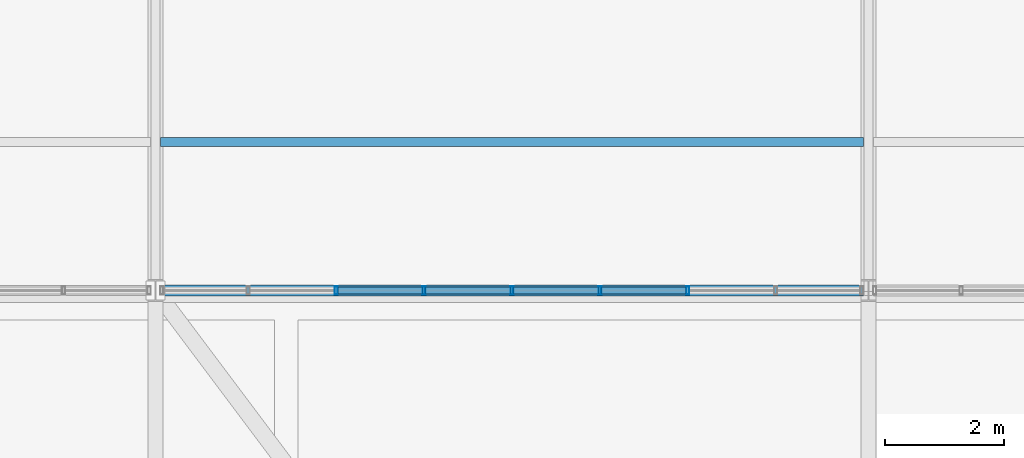
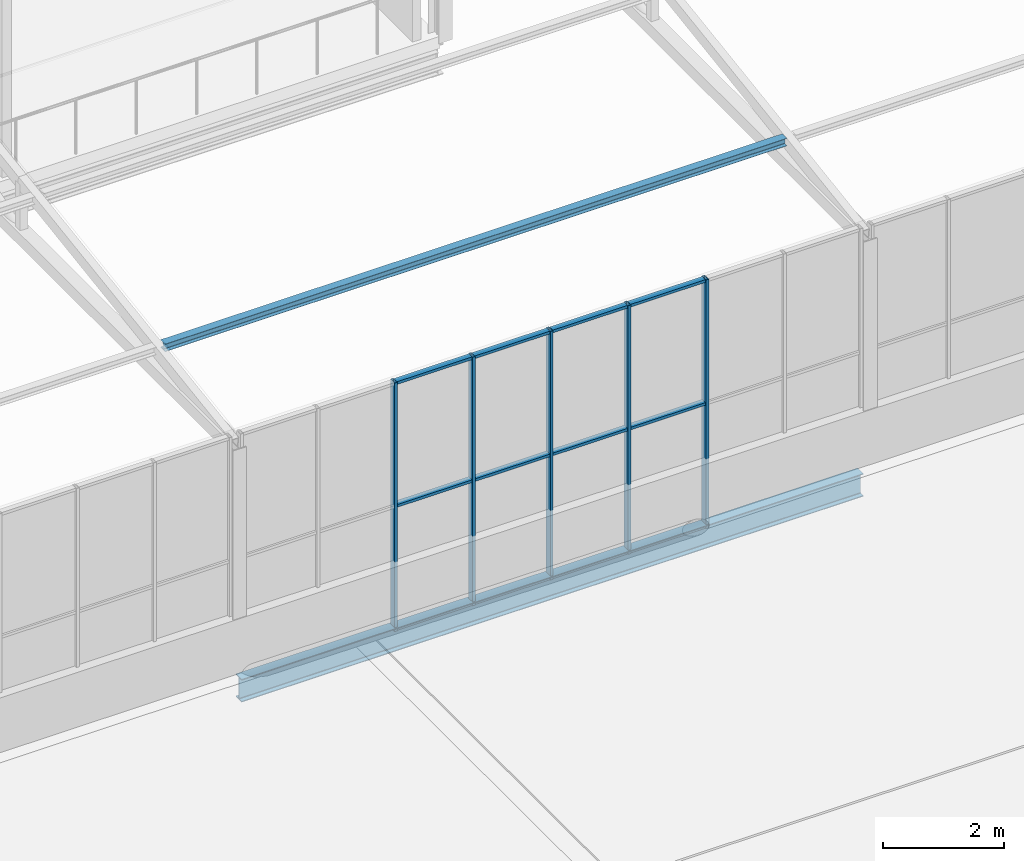
# One storey, part 52 of 104: 17 members, 2 beams, 1 element without a shape of its own.
"""IFC4 building model written with IfcOpenShell, lengths in metres."""

from ifc_helpers import new_model, si_unit, direction, frame, origin, origin_2d, place, context, subcontext, project, spatial, hollow_rectangle, i_section, extrude, material, layer, layer_set, material_profile, profile_set, type_object, element, aggregate, save


model = new_model("IFC4")

# Units and contexts
model_context = context("Model", 3, precision=1e-05, world=origin(), true_north=direction((0.0, 1.0)))
body_context = subcontext(model_context, "Body", "Model", "MODEL_VIEW")
ifc_project = project(units=[si_unit("LENGTHUNIT", "METRE"), si_unit("AREAUNIT", "SQUARE_METRE"), si_unit("VOLUMEUNIT", "CUBIC_METRE"), si_unit("PLANEANGLEUNIT", "RADIAN"), si_unit("MASSUNIT", "GRAM", prefix="KILO")], contexts=[model_context])

# Site, building, storey
site_placement = place(None, origin())
site = spatial("IfcSite", under=ifc_project, at=site_placement, CompositionType="ELEMENT")
building_placement = place(site_placement, origin())
building = spatial("IfcBuilding", under=site, at=building_placement, Name="Solvenia Promenade Tram Depot", CompositionType="ELEMENT")
storey_placement = place(building_placement, frame((0.0, 0.0, 9.0)))
storey = spatial("IfcBuildingStorey", under=building, at=storey_placement, Name="L02", CompositionType="ELEMENT", Elevation=9.0)

# Curtain wall, members
ifc_material_1 = material(Name="Anodized aluminium AW-6063 T6", Category="aluminium")
ifc_layer = layer(ifc_material_1, 0.080078125, Name="Anodized aluminium AW-6063 T6", Category="aluminium")
ifc_layer_set = layer_set([ifc_layer], Name="Anodized aluminium AW-6063 T6")
curtain_wall_type = type_object("IfcCurtainWallType", Name="CW-Clerest-1500", PredefinedType="NOTDEFINED", material=ifc_layer_set)
curtain_wall_placement = place(storey_placement, origin())
curtain_wall = element("IfcCurtainWall", 1, at=curtain_wall_placement, inside=storey, type_object=curtain_wall_type, Name="Curtain Wall CW-V2S-L2-07", PredefinedType="NOTDEFINED")
ifc_material_profile_1 = material_profile(ifc_material_1, hollow_rectangle(XDim=0.139892578125, YDim=0.054931640625, WallThickness=0.00390625, at=origin_2d()), Name="ALU-M4", Category="aluminium")
ifc_profile_set_1 = profile_set([ifc_material_profile_1], Name="Anodized aluminium AW-6063 T6")
member_type_1 = type_object("IfcMemberType", Name="CWM-Mullion-4", PredefinedType="MULLION", material=ifc_profile_set_1)
member_1_placement = place(storey_placement, frame((153.0400390625, 24.0, -0.300048828125), z_axis=(0.0, 0.0, 1.0), x_axis=(0.0, 1.0, 0.0)))
member_1 = element("IfcMember", 2, at=member_1_placement, type_object=member_type_1, Name="CW-4 mullion 3", PredefinedType="MULLION", context=body_context, shape_type="SweptSolid", body=[
    extrude(hollow_rectangle(XDim=0.139892578125, YDim=0.054931640625, WallThickness=0.00390625, at=origin_2d()), origin(), (0.0, 0.0, 1.0), 5.0),
])
member_2_placement = place(storey_placement, frame((154.52001953125, 24.0, -0.300048828125), z_axis=(0.0, 0.0, 1.0), x_axis=(0.0, 1.0, 0.0)))
member_2 = element("IfcMember", 3, at=member_2_placement, type_object=member_type_1, Name="CW-4 mullion 4", PredefinedType="MULLION", context=body_context, shape_type="SweptSolid", body=[
    extrude(hollow_rectangle(XDim=0.139892578125, YDim=0.054931640625, WallThickness=0.00390625, at=origin_2d()), origin(), (0.0, 0.0, 1.0), 5.0),
])
member_3_placement = place(storey_placement, frame((156.0, 24.0, -0.300048828125), z_axis=(0.0, 0.0, 1.0), x_axis=(0.0, 1.0, 0.0)))
member_3 = element("IfcMember", 4, at=member_3_placement, type_object=member_type_1, Name="CW-4 mullion 5", PredefinedType="MULLION", context=body_context, shape_type="SweptSolid", body=[
    extrude(hollow_rectangle(XDim=0.139892578125, YDim=0.054931640625, WallThickness=0.00390625, at=origin_2d()), origin(), (0.0, 0.0, 1.0), 5.0),
])
member_4_placement = place(storey_placement, frame((157.47998046875, 24.0, -0.300048828125), z_axis=(0.0, 0.0, 1.0), x_axis=(0.0, 1.0, 0.0)))
member_4 = element("IfcMember", 5, at=member_4_placement, type_object=member_type_1, Name="CW-4 mullion 6", PredefinedType="MULLION", context=body_context, shape_type="SweptSolid", body=[
    extrude(hollow_rectangle(XDim=0.139892578125, YDim=0.054931640625, WallThickness=0.00390625, at=origin_2d()), origin(), (0.0, 0.0, 1.0), 5.0),
])
member_5_placement = place(storey_placement, frame((158.9599609375, 24.0, -0.300048828125), z_axis=(0.0, 0.0, 1.0), x_axis=(0.0, 1.0, 0.0)))
member_5 = element("IfcMember", 6, at=member_5_placement, type_object=member_type_1, Name="CW-4 mullion 7", PredefinedType="MULLION", context=body_context, shape_type="SweptSolid", body=[
    extrude(hollow_rectangle(XDim=0.139892578125, YDim=0.054931640625, WallThickness=0.00390625, at=origin_2d()), origin(), (0.0, 0.0, 1.0), 5.0),
])
ifc_material_profile_2 = material_profile(ifc_material_1, hollow_rectangle(XDim=0.110107421875, YDim=0.054931640625, WallThickness=0.00390625, at=origin_2d()), Name="ALU-T4", Category="aluminium")
ifc_profile_set_2 = profile_set([ifc_material_profile_2], Name="Anodized aluminium AW-6063 T6")
member_type_2 = type_object("IfcMemberType", Name="CWT-Transom-4", PredefinedType="USERDEFINED", material=ifc_profile_set_2)
member_6_placement = place(storey_placement, frame((153.0673828125, 24.0, -0.2724609375), z_axis=(1.0, 0.0, 0.0), x_axis=(0.0, 1.0, 0.0)))
member_6 = element("IfcMember", 7, at=member_6_placement, type_object=member_type_2, Name="CW-4 transom 3.1", ObjectType="TRANSOM", PredefinedType="USERDEFINED", context=body_context, shape_type="SweptSolid", body=[
    extrude(hollow_rectangle(XDim=0.110107421875, YDim=0.054931640625, WallThickness=0.00390625, at=origin_2d()), origin(), (0.0, 0.0, 1.0), 1.425048828125),
])
member_7_placement = place(storey_placement, frame((153.0673828125, 24.0, 2.199951171875), z_axis=(1.0, 0.0, 0.0), x_axis=(0.0, 1.0, 0.0)))
member_7 = element("IfcMember", 8, at=member_7_placement, type_object=member_type_2, Name="CW-4 transom 3.2", ObjectType="TRANSOM", PredefinedType="USERDEFINED", context=body_context, shape_type="SweptSolid", body=[
    extrude(hollow_rectangle(XDim=0.110107421875, YDim=0.054931640625, WallThickness=0.00390625, at=origin_2d()), origin(), (0.0, 0.0, 1.0), 1.425048828125),
])
member_8_placement = place(storey_placement, frame((153.0673828125, 24.0, 4.672607421875), z_axis=(1.0, 0.0, 0.0), x_axis=(0.0, 1.0, 0.0)))
member_8 = element("IfcMember", 9, at=member_8_placement, type_object=member_type_2, Name="CW-4 transom 3.3", ObjectType="TRANSOM", PredefinedType="USERDEFINED", context=body_context, shape_type="SweptSolid", body=[
    extrude(hollow_rectangle(XDim=0.110107421875, YDim=0.054931640625, WallThickness=0.00390625, at=origin_2d()), origin(), (0.0, 0.0, 1.0), 1.425048828125),
])
member_9_placement = place(storey_placement, frame((154.547607421875, 24.0, -0.2724609375), z_axis=(1.0, 0.0, 0.0), x_axis=(0.0, 1.0, 0.0)))
member_9 = element("IfcMember", 10, at=member_9_placement, type_object=member_type_2, Name="CW-4 transom 4.1", ObjectType="TRANSOM", PredefinedType="USERDEFINED", context=body_context, shape_type="SweptSolid", body=[
    extrude(hollow_rectangle(XDim=0.110107421875, YDim=0.054931640625, WallThickness=0.00390625, at=origin_2d()), origin(), (0.0, 0.0, 1.0), 1.4248046875),
])
member_10_placement = place(storey_placement, frame((154.547607421875, 24.0, 2.199951171875), z_axis=(1.0, 0.0, 0.0), x_axis=(0.0, 1.0, 0.0)))
member_10 = element("IfcMember", 11, at=member_10_placement, type_object=member_type_2, Name="CW-4 transom 4.2", ObjectType="TRANSOM", PredefinedType="USERDEFINED", context=body_context, shape_type="SweptSolid", body=[
    extrude(hollow_rectangle(XDim=0.110107421875, YDim=0.054931640625, WallThickness=0.00390625, at=origin_2d()), origin(), (0.0, 0.0, 1.0), 1.4248046875),
])
member_11_placement = place(storey_placement, frame((154.547607421875, 24.0, 4.672607421875), z_axis=(1.0, 0.0, 0.0), x_axis=(0.0, 1.0, 0.0)))
member_11 = element("IfcMember", 12, at=member_11_placement, type_object=member_type_2, Name="CW-4 transom 4.3", ObjectType="TRANSOM", PredefinedType="USERDEFINED", context=body_context, shape_type="SweptSolid", body=[
    extrude(hollow_rectangle(XDim=0.110107421875, YDim=0.054931640625, WallThickness=0.00390625, at=origin_2d()), origin(), (0.0, 0.0, 1.0), 1.4248046875),
])
member_12_placement = place(storey_placement, frame((156.027587890625, 24.0, -0.2724609375), z_axis=(1.0, 0.0, 0.0), x_axis=(0.0, 1.0, 0.0)))
member_12 = element("IfcMember", 13, at=member_12_placement, type_object=member_type_2, Name="CW-4 transom 5.1", ObjectType="TRANSOM", PredefinedType="USERDEFINED", context=body_context, shape_type="SweptSolid", body=[
    extrude(hollow_rectangle(XDim=0.110107421875, YDim=0.054931640625, WallThickness=0.00390625, at=origin_2d()), origin(), (0.0, 0.0, 1.0), 1.4248046875),
])
member_13_placement = place(storey_placement, frame((156.027587890625, 24.0, 2.199951171875), z_axis=(1.0, 0.0, 0.0), x_axis=(0.0, 1.0, 0.0)))
member_13 = element("IfcMember", 14, at=member_13_placement, type_object=member_type_2, Name="CW-4 transom 5.2", ObjectType="TRANSOM", PredefinedType="USERDEFINED", context=body_context, shape_type="SweptSolid", body=[
    extrude(hollow_rectangle(XDim=0.110107421875, YDim=0.054931640625, WallThickness=0.00390625, at=origin_2d()), origin(), (0.0, 0.0, 1.0), 1.4248046875),
])
member_14_placement = place(storey_placement, frame((156.027587890625, 24.0, 4.672607421875), z_axis=(1.0, 0.0, 0.0), x_axis=(0.0, 1.0, 0.0)))
member_14 = element("IfcMember", 15, at=member_14_placement, type_object=member_type_2, Name="CW-4 transom 5.3", ObjectType="TRANSOM", PredefinedType="USERDEFINED", context=body_context, shape_type="SweptSolid", body=[
    extrude(hollow_rectangle(XDim=0.110107421875, YDim=0.054931640625, WallThickness=0.00390625, at=origin_2d()), origin(), (0.0, 0.0, 1.0), 1.4248046875),
])
member_15_placement = place(storey_placement, frame((157.507568359375, 24.0, -0.2724609375), z_axis=(1.0, 0.0, 0.0), x_axis=(0.0, 1.0, 0.0)))
member_15 = element("IfcMember", 16, at=member_15_placement, type_object=member_type_2, Name="CW-4 transom 6.1", ObjectType="TRANSOM", PredefinedType="USERDEFINED", context=body_context, shape_type="SweptSolid", body=[
    extrude(hollow_rectangle(XDim=0.110107421875, YDim=0.054931640625, WallThickness=0.00390625, at=origin_2d()), origin(), (0.0, 0.0, 1.0), 1.425048828125),
])
member_16_placement = place(storey_placement, frame((157.507568359375, 24.0, 2.199951171875), z_axis=(1.0, 0.0, 0.0), x_axis=(0.0, 1.0, 0.0)))
member_16 = element("IfcMember", 17, at=member_16_placement, type_object=member_type_2, Name="CW-4 transom 6.2", ObjectType="TRANSOM", PredefinedType="USERDEFINED", context=body_context, shape_type="SweptSolid", body=[
    extrude(hollow_rectangle(XDim=0.110107421875, YDim=0.054931640625, WallThickness=0.00390625, at=origin_2d()), origin(), (0.0, 0.0, 1.0), 1.425048828125),
])
member_17_placement = place(storey_placement, frame((157.507568359375, 24.0, 4.672607421875), z_axis=(1.0, 0.0, 0.0), x_axis=(0.0, 1.0, 0.0)))
member_17 = element("IfcMember", 18, at=member_17_placement, type_object=member_type_2, Name="CW-4 transom 6.3", ObjectType="TRANSOM", PredefinedType="USERDEFINED", context=body_context, shape_type="SweptSolid", body=[
    extrude(hollow_rectangle(XDim=0.110107421875, YDim=0.054931640625, WallThickness=0.00390625, at=origin_2d()), origin(), (0.0, 0.0, 1.0), 1.425048828125),
])
aggregate(curtain_wall, [member_1, member_2, member_3, member_4, member_5, member_6, member_7, member_8, member_9, member_10, member_11, member_12, member_13, member_14, member_15, member_16, member_17])

# Beams
ifc_material_2 = material(Name="Structural steel ASTM A992 Gr. 50", Category="steel")
ifc_material_profile_3 = material_profile(ifc_material_2, i_section(OverallWidth=0.152099609375, OverallDepth=0.152099609375, WebThickness=0.005859375, FlangeThickness=0.006591796875, FilletRadius=0.008056640625, at=origin_2d()), Name="W150x22", Category="steel")
ifc_profile_set_3 = profile_set([ifc_material_profile_3], Name="Structural steel ASTM A992 Gr. 50")
beam_type_1 = type_object("IfcBeamType", Name="Purlin-W150x22", PredefinedType="USERDEFINED", material=ifc_profile_set_3)
beam_1_placement = place(storey_placement, frame((150.0849609375, 26.5, 4.919921875), z_axis=(1.0, 0.0, 0.0), x_axis=(0.0, 1.0, 0.0)))
element("IfcBeam", 19, at=beam_1_placement, inside=storey, type_object=beam_type_1, Name="Clerestory Purlin 0213", ObjectType="PURLIN", PredefinedType="USERDEFINED", context=body_context, shape_type="SweptSolid", body=[
    extrude(i_section(OverallWidth=0.152099609375, OverallDepth=0.152099609375, WebThickness=0.005859375, FlangeThickness=0.006591796875, FilletRadius=0.008056640625, at=origin_2d()), origin(), (0.0, 0.0, 1.0), 11.830078125),
])
ifc_material_profile_4 = material_profile(ifc_material_2, i_section(OverallWidth=0.19091796875, OverallDepth=0.4599609375, WebThickness=0.010009765625, FlangeThickness=0.01611328125, FilletRadius=0.012939453125, at=origin_2d()), Name="W460x82", Category="steel")
ifc_profile_set_4 = profile_set([ifc_material_profile_4], Name="Structural steel ASTM A992 Gr. 50")
beam_type_2 = type_object("IfcBeamType", Name="Spandrel-W460x82", PredefinedType="SPANDREL", material=ifc_profile_set_4)
beam_2_placement = place(storey_placement, frame((150.0849609375, 24.0, -0.449951171875), z_axis=(1.0, 0.0, 0.0), x_axis=(0.0, 1.0, 0.0)))
element("IfcBeam", 20, at=beam_2_placement, inside=storey, type_object=beam_type_2, Name="Perimeter Spandrel BM-L02-0794", PredefinedType="SPANDREL", context=body_context, shape_type="SweptSolid", body=[
    extrude(i_section(OverallWidth=0.19091796875, OverallDepth=0.4599609375, WebThickness=0.010009765625, FlangeThickness=0.01611328125, FilletRadius=0.012939453125, at=origin_2d()), origin(), (0.0, 0.0, 1.0), 11.830078125),
])

save(model, "model.ifc")
